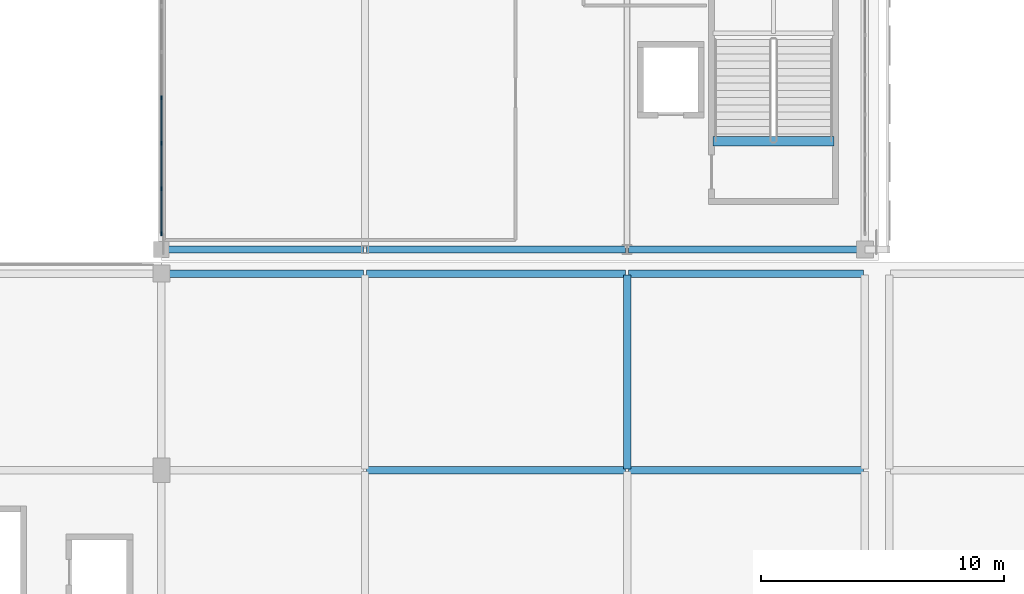
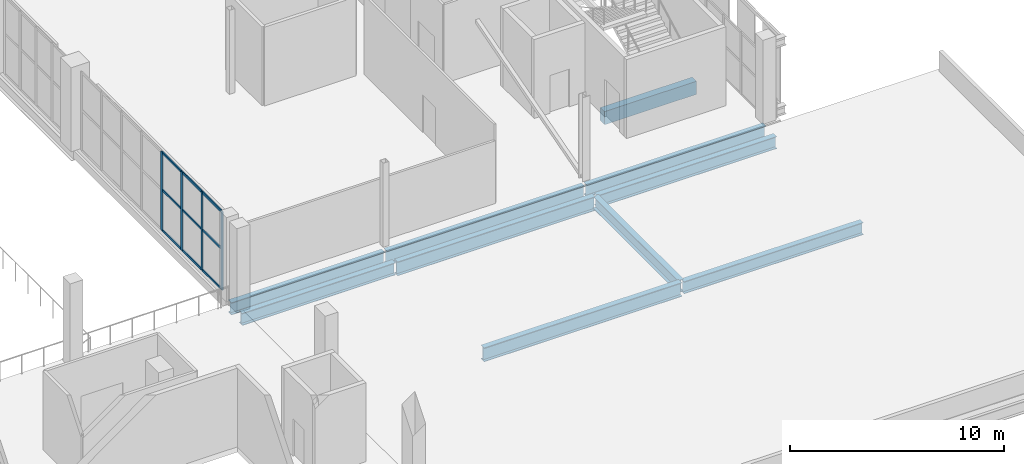
# One storey, part 34 of 104: 13 members, 10 beams, 1 element without a shape of its own.
"""IFC4 building model written with IfcOpenShell, lengths in metres."""

from ifc_helpers import new_model, si_unit, direction, frame, origin, origin_2d, place, context, subcontext, project, spatial, rectangle, i_section, extrude, material, material_profile, profile_set, type_object, element, aggregate, save


model = new_model("IFC4")

# Units and contexts
model_context = context("Model", 3, precision=1e-05, world=origin(), true_north=direction((0.0, 1.0)))
body_context = subcontext(model_context, "Body", "Model", "MODEL_VIEW")
ifc_project = project(units=[si_unit("LENGTHUNIT", "METRE"), si_unit("AREAUNIT", "SQUARE_METRE"), si_unit("VOLUMEUNIT", "CUBIC_METRE"), si_unit("PLANEANGLEUNIT", "RADIAN"), si_unit("MASSUNIT", "GRAM", prefix="KILO")], contexts=[model_context])

# Site, building, storey
site_placement = place(None, origin())
site = spatial("IfcSite", under=ifc_project, at=site_placement, CompositionType="ELEMENT")
building_placement = place(site_placement, origin())
building = spatial("IfcBuilding", under=site, at=building_placement, Name="Koshinbarg Plaza Stadium", CompositionType="ELEMENT")
storey_placement = place(building_placement, frame((0.0, 0.0, 19.800048828125)))
storey = spatial("IfcBuildingStorey", under=building, at=storey_placement, Name="L04", CompositionType="ELEMENT", Elevation=19.800048828125)

# Beams
ifc_material_1 = material(Name="Concrete C40/50", Category="concrete")
ifc_material_profile_1 = material_profile(ifc_material_1, rectangle(XDim=0.39990234375, YDim=0.75, at=origin_2d()), Name="RC 400x750")
ifc_profile_set_1 = profile_set([ifc_material_profile_1], Name="Concrete C40/50")
beam_type_1 = type_object("IfcBeamType", Name="BM-RCG-03", PredefinedType="USERDEFINED", material=ifc_profile_set_1)
beam_1_placement = place(storey_placement, frame((212.14990234375, 29.9599609375, -0.375), z_axis=(1.0, 0.0, 0.0), x_axis=(0.0, 1.0, 0.0)))
element("IfcBeam", 1, at=beam_1_placement, inside=storey, type_object=beam_type_1, Name="L04 stair landing header beam C07", ObjectType="GIRDER", PredefinedType="USERDEFINED", context=body_context, shape_type="SweptSolid", body=[
    extrude(rectangle(XDim=0.39990234375, YDim=0.75, at=origin_2d()), origin(), (0.0, 0.0, 1.0), 4.97021484375),
])
ifc_material_2 = material(Name="Steel S355", Category="steel")
ifc_material_profile_2 = material_profile(ifc_material_2, i_section(OverallWidth=0.300048828125, OverallDepth=0.699951171875, WebThickness=0.01708984375, FlangeThickness=0.031982421875, at=origin_2d()), Name="HEB 700")
ifc_profile_set_2 = profile_set([ifc_material_profile_2], Name="Steel S355")
beam_type_2 = type_object("IfcBeamType", Name="BM-SGIR-03", PredefinedType="USERDEFINED", material=ifc_profile_set_2)
beam_2_placement = place(storey_placement, frame((208.659912109375, 16.39990234375, -0.650146484375), z_axis=(1.0, 0.0, 0.0), x_axis=(0.0, 1.0, 0.0)))
element("IfcBeam", 2, at=beam_2_placement, inside=storey, type_object=beam_type_2, Name="L04 X girder C/20-21", ObjectType="GIRDER", PredefinedType="USERDEFINED", context=body_context, shape_type="SweptSolid", body=[
    extrude(i_section(OverallWidth=0.300048828125, OverallDepth=0.699951171875, WebThickness=0.01708984375, FlangeThickness=0.031982421875, at=origin_2d()), origin(), (0.0, 0.0, 1.0), 9.68017578125),
])
beam_3_placement = place(storey_placement, frame((189.4599609375, 24.5, -0.650146484375), z_axis=(1.0, 0.0, 0.0), x_axis=(0.0, 1.0, 0.0)))
element("IfcBeam", 3, at=beam_3_placement, inside=storey, type_object=beam_type_2, Name="L04 X girder D/18-19", ObjectType="GIRDER", PredefinedType="USERDEFINED", context=body_context, shape_type="SweptSolid", body=[
    extrude(i_section(OverallWidth=0.300048828125, OverallDepth=0.699951171875, WebThickness=0.01708984375, FlangeThickness=0.031982421875, at=origin_2d()), origin(), (0.0, 0.0, 1.0), 8.280029296875),
])
beam_4_placement = place(storey_placement, frame((208.659912109375, 24.5, -0.650146484375), z_axis=(1.0, 0.0, 0.0), x_axis=(0.0, 1.0, 0.0)))
element("IfcBeam", 4, at=beam_4_placement, inside=storey, type_object=beam_type_2, Name="L04 X girder D/20-21", ObjectType="GIRDER", PredefinedType="USERDEFINED", context=body_context, shape_type="SweptSolid", body=[
    extrude(i_section(OverallWidth=0.300048828125, OverallDepth=0.699951171875, WebThickness=0.01708984375, FlangeThickness=0.031982421875, at=origin_2d()), origin(), (0.0, 0.0, 1.0), 9.68017578125),
])
beam_5_placement = place(storey_placement, frame((189.4599609375, 25.5, -0.650146484375), z_axis=(1.0, 0.0, 0.0), x_axis=(0.0, 1.0, 0.0)))
element("IfcBeam", 5, at=beam_5_placement, inside=storey, type_object=beam_type_2, Name="L04 X girder E/18-19", ObjectType="GIRDER", PredefinedType="USERDEFINED", context=body_context, shape_type="SweptSolid", body=[
    extrude(i_section(OverallWidth=0.300048828125, OverallDepth=0.699951171875, WebThickness=0.01708984375, FlangeThickness=0.031982421875, at=origin_2d()), origin(), (0.0, 0.0, 1.0), 8.280029296875),
])
beam_6_placement = place(storey_placement, frame((208.659912109375, 25.5, -0.650146484375), z_axis=(1.0, 0.0, 0.0), x_axis=(0.0, 1.0, 0.0)))
element("IfcBeam", 6, at=beam_6_placement, inside=storey, type_object=beam_type_2, Name="L04 X girder E/20-21", ObjectType="GIRDER", PredefinedType="USERDEFINED", context=body_context, shape_type="SweptSolid", body=[
    extrude(i_section(OverallWidth=0.300048828125, OverallDepth=0.699951171875, WebThickness=0.01708984375, FlangeThickness=0.031982421875, at=origin_2d()), origin(), (0.0, 0.0, 1.0), 9.68017578125),
])
beam_7_placement = place(storey_placement, frame((208.60009765625, 16.4599609375, -0.650146484375), z_axis=(0.0, 1.0, 0.0), x_axis=(-1.0, 0.0, 0.0)))
element("IfcBeam", 7, at=beam_7_placement, inside=storey, type_object=beam_type_2, Name="L04 Y girder 20/C-D", ObjectType="GIRDER", PredefinedType="USERDEFINED", context=body_context, shape_type="SweptSolid", body=[
    extrude(i_section(OverallWidth=0.300048828125, OverallDepth=0.699951171875, WebThickness=0.01708984375, FlangeThickness=0.031982421875, at=origin_2d()), origin(), (0.0, 0.0, 1.0), 7.97998046875),
])
ifc_material_profile_3 = material_profile(ifc_material_2, i_section(OverallWidth=0.300048828125, OverallDepth=0.800048828125, WebThickness=0.017578125, FlangeThickness=0.032958984375, at=origin_2d()), Name="HEB 800")
ifc_profile_set_3 = profile_set([ifc_material_profile_3], Name="Steel S355")
beam_type_3 = type_object("IfcBeamType", Name="BM-SGIR-04", PredefinedType="USERDEFINED", material=ifc_profile_set_3)
for number, where, z_axis, x_axis, name in (
    (8, (197.860107421875, 16.39990234375, -0.699951171875), (1.0, 0.0, 0.0), (0.0, 1.0, 0.0), "L04 X girder C/19-20"),
    (9, (197.860107421875, 24.5, -0.699951171875), (1.0, 0.0, 0.0), (0.0, 1.0, 0.0), "L04 X girder D/19-20"),
    (10, (197.860107421875, 25.5, -0.699951171875), (1.0, 0.0, 0.0), (0.0, 1.0, 0.0), "L04 X girder E/19-20"),
):
    element("IfcBeam", number, at=place(storey_placement, frame(where, z_axis=z_axis, x_axis=x_axis)), inside=storey, type_object=beam_type_3, Name=name, ObjectType="GIRDER", PredefinedType="USERDEFINED", context=body_context, shape_type="SweptSolid", body=[
        extrude(i_section(OverallWidth=0.300048828125, OverallDepth=0.800048828125, WebThickness=0.017578125, FlangeThickness=0.032958984375, at=origin_2d()), origin(), (0.0, 0.0, 1.0), 10.679931640625),
    ])

# Curtain wall, members
ifc_material_3 = material(Name="Thermally broken anodised aluminium and low-E double glazing", Category="aluminium")
curtain_wall_type = type_object("IfcCurtainWallType", Name="CW-SYS-10", PredefinedType="NOTDEFINED", material=ifc_material_3)
curtain_wall_placement = place(storey_placement, origin())
curtain_wall = element("IfcCurtainWall", 11, at=curtain_wall_placement, inside=storey, type_object=curtain_wall_type, Name="L04 unitised curtain wall CW-L04-121", PredefinedType="NOTDEFINED")
ifc_material_4 = material(Name="Anodised aluminium mullion", Category="aluminium")
ifc_material_profile_4 = material_profile(ifc_material_4, rectangle(XDim=0.06005859375, YDim=0.159912109375, at=origin_2d()), Name="ALU 60x160")
ifc_profile_set_4 = profile_set([ifc_material_profile_4], Name="Anodised aluminium mullion")
member_type_1 = type_object("IfcMemberType", Name="CW-MUL-02", PredefinedType="MULLION", material=ifc_profile_set_4)
member_1_placement = place(storey_placement, frame((189.39990234375, 26.14990234375, 0.0), z_axis=(0.0, 0.0, 1.0), x_axis=(-1.0, 0.0, 0.0)))
member_1 = element("IfcMember", 12, at=member_1_placement, type_object=member_type_1, Name="CW10 mullion 1", PredefinedType="MULLION", context=body_context, shape_type="SweptSolid", body=[
    extrude(rectangle(XDim=0.06005859375, YDim=0.159912109375, at=origin_2d()), origin(), (0.0, 0.0, 1.0), 4.47998046875),
])
member_2_placement = place(storey_placement, frame((189.39990234375, 28.0, 0.0), z_axis=(0.0, 0.0, 1.0), x_axis=(-1.0, 0.0, 0.0)))
member_2 = element("IfcMember", 13, at=member_2_placement, type_object=member_type_1, Name="CW10 mullion 2", PredefinedType="MULLION", context=body_context, shape_type="SweptSolid", body=[
    extrude(rectangle(XDim=0.06005859375, YDim=0.159912109375, at=origin_2d()), origin(), (0.0, 0.0, 1.0), 4.47998046875),
])
member_3_placement = place(storey_placement, frame((189.39990234375, 29.8798828125, 0.0), z_axis=(0.0, 0.0, 1.0), x_axis=(-1.0, 0.0, 0.0)))
member_3 = element("IfcMember", 14, at=member_3_placement, type_object=member_type_1, Name="CW10 mullion 3", PredefinedType="MULLION", context=body_context, shape_type="SweptSolid", body=[
    extrude(rectangle(XDim=0.06005859375, YDim=0.159912109375, at=origin_2d()), origin(), (0.0, 0.0, 1.0), 4.47998046875),
])
member_4_placement = place(storey_placement, frame((189.39990234375, 31.760009765625, 0.0), z_axis=(0.0, 0.0, 1.0), x_axis=(-1.0, 0.0, 0.0)))
member_4 = element("IfcMember", 15, at=member_4_placement, type_object=member_type_1, Name="CW10 mullion 4", PredefinedType="MULLION", context=body_context, shape_type="SweptSolid", body=[
    extrude(rectangle(XDim=0.06005859375, YDim=0.159912109375, at=origin_2d()), origin(), (0.0, 0.0, 1.0), 4.47998046875),
])
ifc_material_5 = material(Name="Anodised aluminium transom", Category="aluminium")
ifc_material_profile_5 = material_profile(ifc_material_5, rectangle(XDim=0.06005859375, YDim=0.1298828125, at=origin_2d()), Name="ALU 60x130")
ifc_profile_set_5 = profile_set([ifc_material_profile_5], Name="Anodised aluminium transom")
member_type_2 = type_object("IfcMemberType", Name="CW-TRN-02", PredefinedType="USERDEFINED", material=ifc_profile_set_5)
member_5_placement = place(storey_placement, frame((189.39990234375, 26.179931640625, 0.030029296875), z_axis=(0.0, 1.0, 0.0), x_axis=(-1.0, 0.0, 0.0)))
member_5 = element("IfcMember", 16, at=member_5_placement, type_object=member_type_2, Name="CW10 transom 1.1", ObjectType="TRANSOM", PredefinedType="USERDEFINED", context=body_context, shape_type="SweptSolid", body=[
    extrude(rectangle(XDim=0.06005859375, YDim=0.1298828125, at=origin_2d()), origin(), (0.0, 0.0, 1.0), 1.7900390625),
])
member_6_placement = place(storey_placement, frame((189.39990234375, 26.179931640625, 2.32958984375), z_axis=(0.0, 1.0, 0.0), x_axis=(-1.0, 0.0, 0.0)))
member_6 = element("IfcMember", 17, at=member_6_placement, type_object=member_type_2, Name="CW10 transom 1.2", ObjectType="TRANSOM", PredefinedType="USERDEFINED", context=body_context, shape_type="SweptSolid", body=[
    extrude(rectangle(XDim=0.06005859375, YDim=0.1298828125, at=origin_2d()), origin(), (0.0, 0.0, 1.0), 1.7900390625),
])
member_7_placement = place(storey_placement, frame((189.39990234375, 26.179931640625, 4.449951171875), z_axis=(0.0, 1.0, 0.0), x_axis=(-1.0, 0.0, 0.0)))
member_7 = element("IfcMember", 18, at=member_7_placement, type_object=member_type_2, Name="CW10 transom 1.3", ObjectType="TRANSOM", PredefinedType="USERDEFINED", context=body_context, shape_type="SweptSolid", body=[
    extrude(rectangle(XDim=0.06005859375, YDim=0.1298828125, at=origin_2d()), origin(), (0.0, 0.0, 1.0), 1.7900390625),
])
member_8_placement = place(storey_placement, frame((189.39990234375, 28.030029296875, 0.030029296875), z_axis=(0.0, 1.0, 0.0), x_axis=(-1.0, 0.0, 0.0)))
member_8 = element("IfcMember", 19, at=member_8_placement, type_object=member_type_2, Name="CW10 transom 2.1", ObjectType="TRANSOM", PredefinedType="USERDEFINED", context=body_context, shape_type="SweptSolid", body=[
    extrude(rectangle(XDim=0.06005859375, YDim=0.1298828125, at=origin_2d()), origin(), (0.0, 0.0, 1.0), 1.820068359375),
])
member_9_placement = place(storey_placement, frame((189.39990234375, 28.030029296875, 2.32958984375), z_axis=(0.0, 1.0, 0.0), x_axis=(-1.0, 0.0, 0.0)))
member_9 = element("IfcMember", 20, at=member_9_placement, type_object=member_type_2, Name="CW10 transom 2.2", ObjectType="TRANSOM", PredefinedType="USERDEFINED", context=body_context, shape_type="SweptSolid", body=[
    extrude(rectangle(XDim=0.06005859375, YDim=0.1298828125, at=origin_2d()), origin(), (0.0, 0.0, 1.0), 1.820068359375),
])
member_10_placement = place(storey_placement, frame((189.39990234375, 28.030029296875, 4.449951171875), z_axis=(0.0, 1.0, 0.0), x_axis=(-1.0, 0.0, 0.0)))
member_10 = element("IfcMember", 21, at=member_10_placement, type_object=member_type_2, Name="CW10 transom 2.3", ObjectType="TRANSOM", PredefinedType="USERDEFINED", context=body_context, shape_type="SweptSolid", body=[
    extrude(rectangle(XDim=0.06005859375, YDim=0.1298828125, at=origin_2d()), origin(), (0.0, 0.0, 1.0), 1.820068359375),
])
member_11_placement = place(storey_placement, frame((189.39990234375, 29.909912109375, 0.030029296875), z_axis=(0.0, 1.0, 0.0), x_axis=(-1.0, 0.0, 0.0)))
member_11 = element("IfcMember", 22, at=member_11_placement, type_object=member_type_2, Name="CW10 transom 3.1", ObjectType="TRANSOM", PredefinedType="USERDEFINED", context=body_context, shape_type="SweptSolid", body=[
    extrude(rectangle(XDim=0.06005859375, YDim=0.1298828125, at=origin_2d()), origin(), (0.0, 0.0, 1.0), 1.820068359375),
])
member_12_placement = place(storey_placement, frame((189.39990234375, 29.909912109375, 2.32958984375), z_axis=(0.0, 1.0, 0.0), x_axis=(-1.0, 0.0, 0.0)))
member_12 = element("IfcMember", 23, at=member_12_placement, type_object=member_type_2, Name="CW10 transom 3.2", ObjectType="TRANSOM", PredefinedType="USERDEFINED", context=body_context, shape_type="SweptSolid", body=[
    extrude(rectangle(XDim=0.06005859375, YDim=0.1298828125, at=origin_2d()), origin(), (0.0, 0.0, 1.0), 1.820068359375),
])
member_13_placement = place(storey_placement, frame((189.39990234375, 29.909912109375, 4.449951171875), z_axis=(0.0, 1.0, 0.0), x_axis=(-1.0, 0.0, 0.0)))
member_13 = element("IfcMember", 24, at=member_13_placement, type_object=member_type_2, Name="CW10 transom 3.3", ObjectType="TRANSOM", PredefinedType="USERDEFINED", context=body_context, shape_type="SweptSolid", body=[
    extrude(rectangle(XDim=0.06005859375, YDim=0.1298828125, at=origin_2d()), origin(), (0.0, 0.0, 1.0), 1.820068359375),
])
aggregate(curtain_wall, [member_1, member_2, member_3, member_4, member_5, member_6, member_7, member_8, member_9, member_10, member_11, member_12, member_13])

save(model, "model.ifc")
